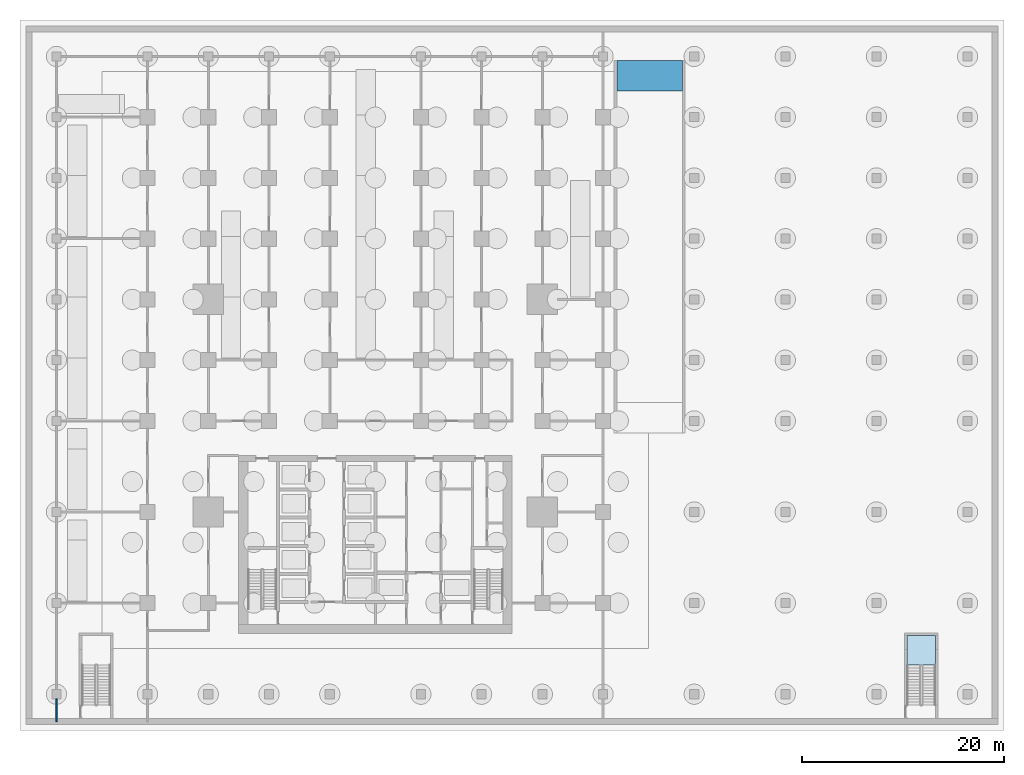
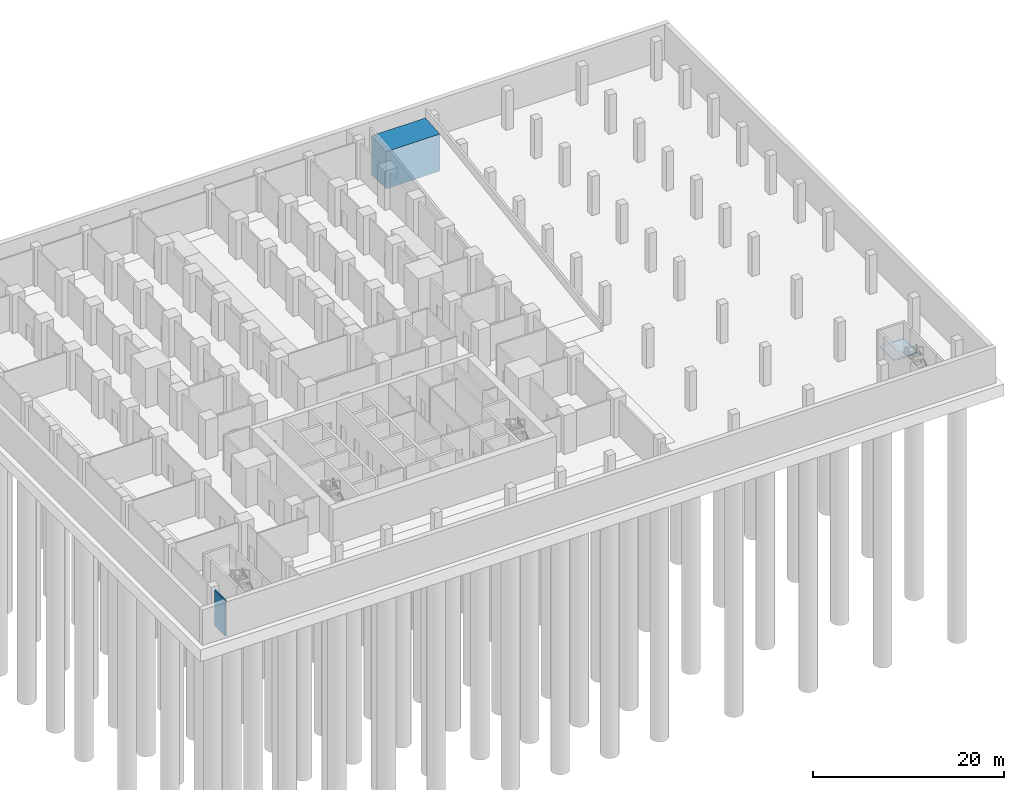
# One storey, part 2 of 12: 2 slabs, 1 wall, 1 element without a shape of its own.
"""IFC4 building model written with IfcOpenShell, lengths in metres."""

from ifc_helpers import new_model, si_unit, direction, frame, frame_2d, origin, place, context, subcontext, project, spatial, polyline, rectangle, outline, extrude, material, layer, layer_set, type_object, element, aggregate, save


model = new_model("IFC4")

# Units and contexts
model_context = context("Model", 3, precision=1e-05, world=origin(), true_north=direction((0.0, 1.0)))
body_context = subcontext(model_context, "Body", "Model", "MODEL_VIEW")
ifc_project = project(units=[si_unit("LENGTHUNIT", "METRE"), si_unit("AREAUNIT", "SQUARE_METRE"), si_unit("VOLUMEUNIT", "CUBIC_METRE"), si_unit("PLANEANGLEUNIT", "RADIAN"), si_unit("MASSUNIT", "GRAM", prefix="KILO")], contexts=[model_context])

# Site, building, storey
site_placement = place(None, origin())
site = spatial("IfcSite", under=ifc_project, at=site_placement, CompositionType="ELEMENT")
building_placement = place(site_placement, origin())
building = spatial("IfcBuilding", under=site, at=building_placement, Name="Finial Court Residences", CompositionType="ELEMENT")
storey_placement = place(building_placement, frame((0.0, 0.0, -5.0)))
storey = spatial("IfcBuildingStorey", under=building, at=storey_placement, Name="B1", CompositionType="ELEMENT", Elevation=-5.0)

# Stair, slab
ifc_material_1 = material(Name="Concrete C50/60", Category="concrete")
stair_type = type_object("IfcStairType", Name="Exit stair 30 risers of 166.7 mm", PredefinedType="HALF_TURN_STAIR", material=ifc_material_1)
stair_placement = place(storey_placement, origin())
stair = element("IfcStair", 1, at=stair_placement, inside=storey, type_object=stair_type, Name="B1 Exit Stair 3", PredefinedType="HALF_TURN_STAIR")
ifc_layer_1 = layer(ifc_material_1, 0.199951171875)
ifc_layer_set_1 = layer_set([ifc_layer_1], Name="Exit stair landing")
slab_type_1 = type_object("IfcSlabType", Name="Exit stair landing", PredefinedType="LANDING", material=ifc_layer_set_1)
slab_1_placement = place(storey_placement, frame((0.0, 0.0, 2.300048828125)))
slab_1 = element("IfcSlab", 2, at=slab_1_placement, type_object=slab_type_1, Name="ST-3 landing 1", PredefinedType="LANDING", context=body_context, shape_type="SweptSolid", body=[
    extrude(outline(polyline([(55.35009765625, -28.6298828125), (55.35009765625, -25.719970703125), (52.5, -25.719970703125), (52.5, -28.6298828125), (55.35009765625, -28.6298828125)])), origin(), (0.0, 0.0, 1.0), 0.199951171875),
])
aggregate(stair, [slab_1])

# Slab
ifc_material_2 = material(Name="Concrete C32/40", Category="concrete")
slab_type_2 = type_object("IfcSlabType", Name="Garage ramp slab", PredefinedType="USERDEFINED", material=ifc_material_2)
slab_2_placement = place(storey_placement, frame((27.10009765625, 31.10009765625, 0.0), z_axis=(0.0, 0.0, 1.0), x_axis=(0.0, -1.0, 0.0)))
element("IfcSlab", 3, at=slab_2_placement, inside=storey, type_object=slab_type_2, Name="Vehicle ramp top transition", ObjectType="VEHICLE RAMP", PredefinedType="USERDEFINED", context=body_context, shape_type="SweptSolid", body=[
    extrude(outline(polyline([(0.0, 0.0), (3.0, 0.0), (3.0, 4.75), (0.0, 5.0), (0.0, 0.0)])), frame((0.0, 3.25, 0.0), z_axis=(0.0, -1.0, 0.0), x_axis=(1.0, 0.0, 0.0)), (0.0, 0.0, 1.0), 6.5),
])

# Wall
ifc_material_3 = material(Name="Concrete C25/30", Category="concrete")
ifc_layer_2 = layer(ifc_material_3, 0.14990234375)
ifc_layer_set_2 = layer_set([ifc_layer_2], Name="Basement partition 150 Concrete C25/30")
wall_type = type_object("IfcWallType", Name="Basement partition 150 Concrete C25/30", PredefinedType="PARTITIONING", material=ifc_layer_set_2)
wall_placement = place(storey_placement, frame((-31.5, -34.199951171875, 0.0), z_axis=(0.0, 0.0, 1.0), x_axis=(0.0, 1.0, 0.0)))
element("IfcWall", 4, at=wall_placement, inside=storey, type_object=wall_type, Name="Basement partition B1-V033", PredefinedType="PARTITIONING", context=body_context, shape_type="SweptSolid", body=[
    extrude(rectangle(XDim=2.25, YDim=0.14990234375, at=frame_2d((1.125, 0.0))), origin(), (0.0, 0.0, 1.0), 4.550048828125),
])

save(model, "model.ifc")
